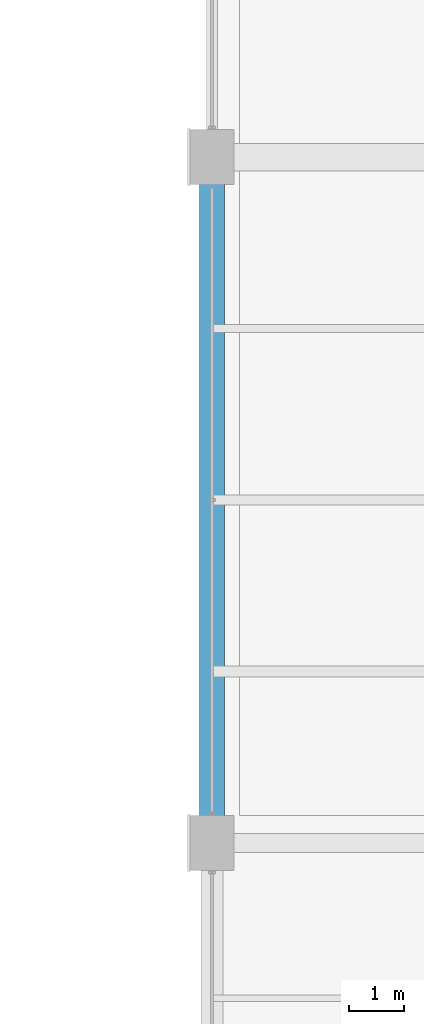
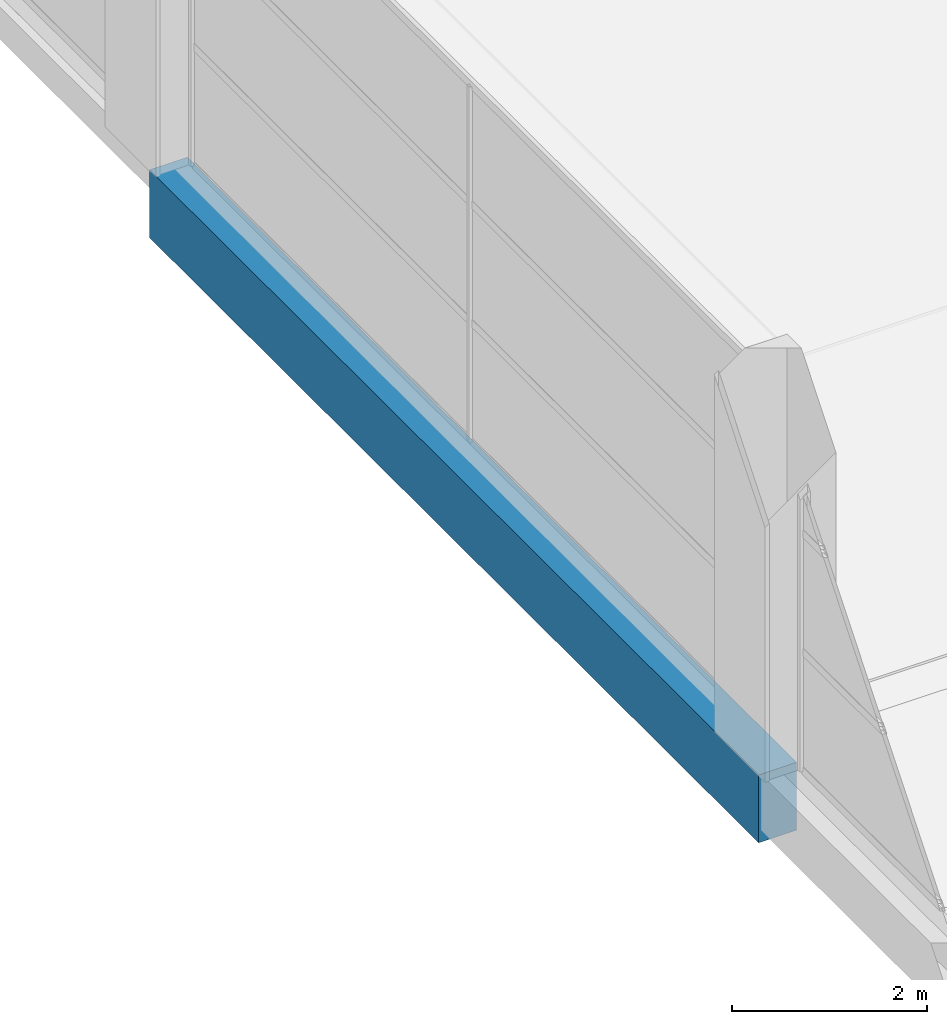
# One storey, part 55 of 112: 1 beam.
"""IFC4 building model written with IfcOpenShell, lengths in metres."""

from ifc_helpers import new_model, si_unit, direction, frame, origin, origin_2d, place, context, subcontext, project, spatial, rectangle, extrude, material, material_profile, profile_set, type_object, element, save


model = new_model("IFC4")

# Units and contexts
model_context = context("Model", 3, precision=1e-05, world=origin(), true_north=direction((0.0, 1.0)))
body_context = subcontext(model_context, "Body", "Model", "MODEL_VIEW")
ifc_project = project(units=[si_unit("LENGTHUNIT", "METRE"), si_unit("AREAUNIT", "SQUARE_METRE"), si_unit("VOLUMEUNIT", "CUBIC_METRE"), si_unit("PLANEANGLEUNIT", "RADIAN"), si_unit("MASSUNIT", "GRAM", prefix="KILO")], contexts=[model_context])

# Site, building, storey
site_placement = place(None, origin())
site = spatial("IfcSite", under=ifc_project, at=site_placement, CompositionType="ELEMENT")
building_placement = place(site_placement, origin())
building = spatial("IfcBuilding", under=site, at=building_placement, Name="Solvikara Media Centre", CompositionType="ELEMENT")
storey_placement = place(building_placement, frame((0.0, 0.0, 5.39990234375)))
storey = spatial("IfcBuildingStorey", under=building, at=storey_placement, Name="L01", CompositionType="ELEMENT", Elevation=5.39990234375)

# Beam
ifc_material = material(Name="Concrete fc' 35 MPa (C35/45)", Category="concrete")
ifc_material_profile = material_profile(ifc_material, rectangle(XDim=0.449951171875, YDim=0.85009765625, at=origin_2d()), Name="RC 450x850")
ifc_profile_set = profile_set([ifc_material_profile], Name="Concrete fc' 35 MPa (C35/45)")
beam_type = type_object("IfcBeamType", Name="BM-14", PredefinedType="SPANDREL", material=ifc_profile_set)
beam_placement = place(storey_placement, frame((127.5, 89.0, -0.724853515625), z_axis=(0.0, 1.0, 0.0), x_axis=(-1.0, 0.0, 0.0)))
element("IfcBeam", 1, at=beam_placement, inside=storey, type_object=beam_type, Name="B-L01-Y0608", PredefinedType="SPANDREL", context=body_context, shape_type="SweptSolid", body=[
    extrude(rectangle(XDim=0.449951171875, YDim=0.85009765625, at=origin_2d()), origin(), (0.0, 0.0, 1.0), 12.5),
])

save(model, "model.ifc")
